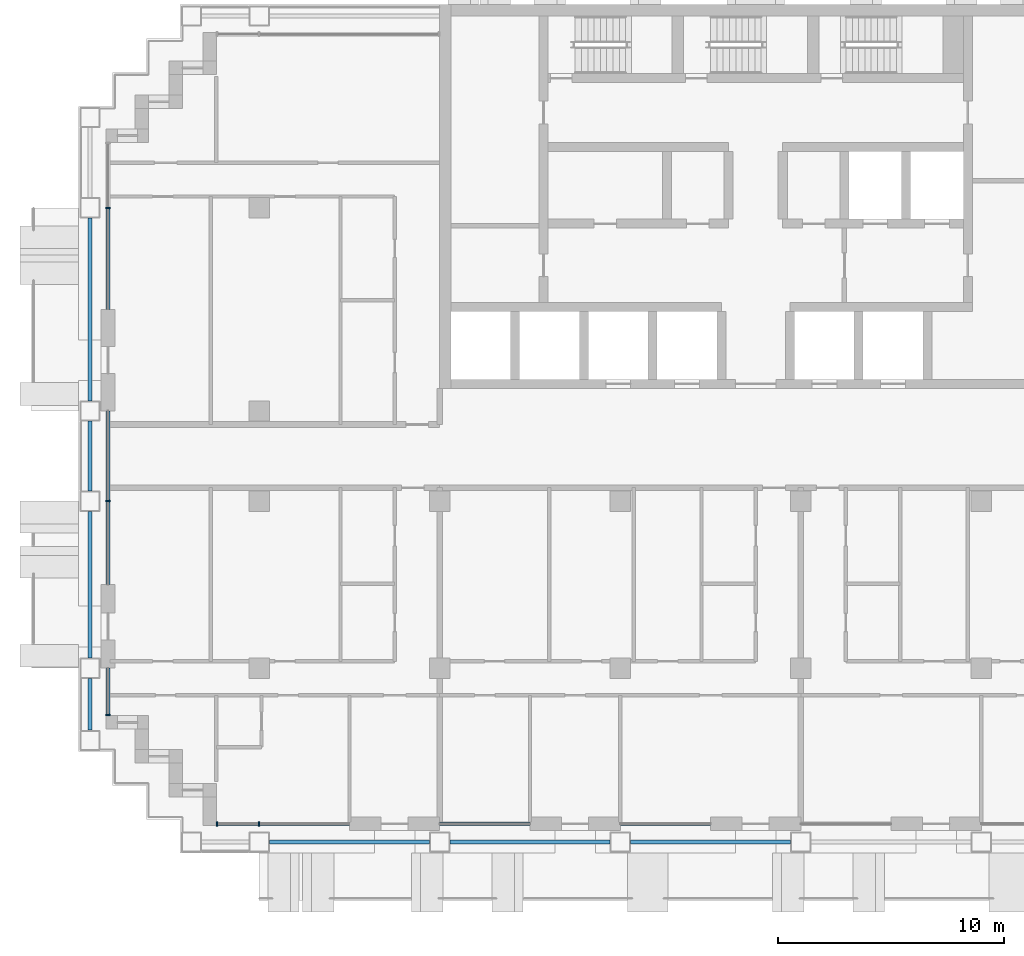
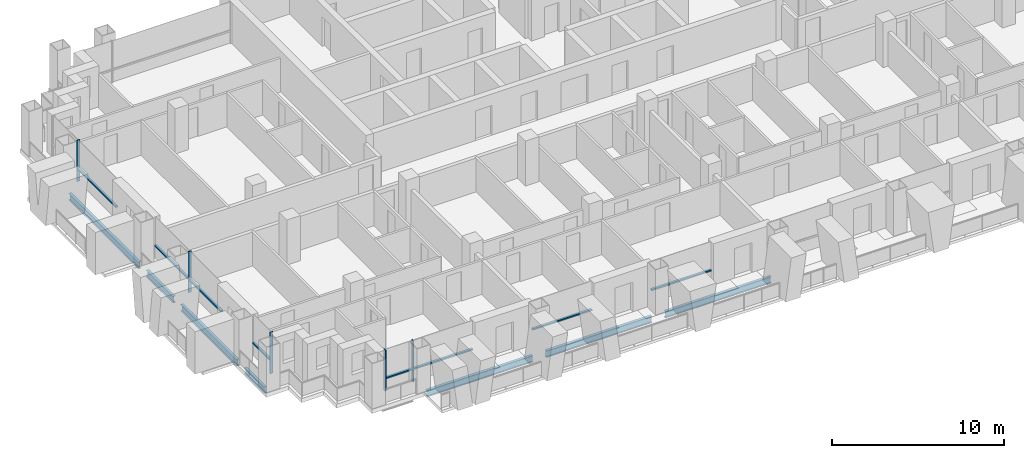
# One storey, part 2 of 18: 13 members, 7 beams, 6 elements without a shape of their own.
"""IFC4 building model written with IfcOpenShell, lengths in metres."""

import ifcopenshell
import ifcopenshell.guid

model = None  # the IFC model being written
_history = None  # IfcOwnerHistory: only IFC2X3 demands one
_inside = {}  # id of a spatial element -> (the spatial element, [elements in it])
_under = {}  # id of a project, library or spatial element -> (it, [spatial elements below it])
_declared = {}  # id of a project -> (the project, [libraries it declares])
_typed = {}  # id of a type object -> (the type object, [elements of that type])
_made_of = {}  # id of a material, layer set ... -> (it, [elements and type objects made of it])


def new_model(schema):
    """Start an empty IFC model of exactly this schema.

    Asked for "IFC4X3", IfcOpenShell would pick the latest addendum, in which some entities
    have other attributes; the version numbers below select the first issue.
    IFC2X3 requires an IfcOwnerHistory on every rooted entity: one is made here for all.
    """
    global model, _history
    if schema == "IFC4X3":
        model = ifcopenshell.file(schema_version=(4, 3, 0, 0))
    else:
        model = ifcopenshell.file(schema=schema)
    _inside.clear()
    _under.clear()
    _declared.clear()
    _typed.clear()
    _made_of.clear()
    _history = None
    if model.schema == "IFC2X3":
        org = make("IfcOrganization", Name="unknown")
        user = make(
            "IfcPersonAndOrganization",
            ThePerson=make("IfcPerson", FamilyName="unknown"),
            TheOrganization=org,
        )
        app = make(
            "IfcApplication",
            ApplicationDeveloper=org,
            Version="unknown",
            ApplicationFullName="unknown",
            ApplicationIdentifier="unknown",
        )
        _history = make(
            "IfcOwnerHistory",
            OwningUser=user,
            OwningApplication=app,
            ChangeAction="ADDED",
            CreationDate=0,
        )
    return model


def make(cls, **values):
    """One entity of the class cls with the attributes given. An attribute that is None is left unset."""
    return model.create_entity(
        cls, **{name: value for name, value in values.items() if value is not None}
    )


def rooted(cls, **values):
    """An entity with a GlobalId (a new one), such as an element, a storey or a relation."""
    return make(cls, GlobalId=ifcopenshell.guid.new(), OwnerHistory=_history, **values)


def si_unit(unit_type, name, prefix=None):
    """IfcSIUnit, for example si_unit("LENGTHUNIT", "METRE", prefix="MILLI")."""
    return make("IfcSIUnit", UnitType=unit_type, Prefix=prefix, Name=name)


def assignment(units):
    """IfcUnitAssignment: the units of a project."""
    return None if units is None else make("IfcUnitAssignment", Units=units)


def point(xyz):
    """IfcCartesianPoint."""
    return None if xyz is None else make("IfcCartesianPoint", Coordinates=xyz)


def direction(xyz):
    """IfcDirection."""
    return None if xyz is None else make("IfcDirection", DirectionRatios=xyz)


def frame(location, z_axis=None, x_axis=None):
    """IfcAxis2Placement3D, a coordinate frame: its origin and axes. An axis left out is left unset."""
    return make(
        "IfcAxis2Placement3D",
        Location=point(location),
        Axis=direction(z_axis),
        RefDirection=direction(x_axis),
    )


def frame_2d(location, x_axis=None):
    """IfcAxis2Placement2D, a coordinate frame in the plane: its origin and x axis."""
    return make(
        "IfcAxis2Placement2D", Location=point(location), RefDirection=direction(x_axis)
    )


def origin():
    """The frame at (0, 0, 0) with its axes left unset."""
    return frame((0.0, 0.0, 0.0))


def origin_2d():
    """The frame at (0, 0) in the plane with its x axis left unset."""
    return frame_2d((0.0, 0.0))


def place(relative_to, where):
    """IfcLocalPlacement: puts the frame where relative to a parent placement (None: the world)."""
    return make(
        "IfcLocalPlacement", PlacementRelTo=relative_to, RelativePlacement=where
    )


def context(
    kind, dimensions, precision=None, world=None, true_north=None, identifier=None
):
    """IfcGeometricRepresentationContext, for example the 3D "Model" context."""
    return make(
        "IfcGeometricRepresentationContext",
        ContextIdentifier=identifier,
        ContextType=kind,
        CoordinateSpaceDimension=dimensions,
        Precision=precision,
        WorldCoordinateSystem=world,
        TrueNorth=true_north,
    )


def subcontext(parent, identifier, kind, view, scale=None):
    """IfcGeometricRepresentationSubContext, for example "Body" below "Model"."""
    return make(
        "IfcGeometricRepresentationSubContext",
        ContextIdentifier=identifier,
        ContextType=kind,
        ParentContext=parent,
        TargetScale=scale,
        TargetView=view,
    )


def project(units=None, contexts=None):
    """IfcProject with its units and contexts."""
    return rooted(
        "IfcProject",
        Name="project",
        RepresentationContexts=contexts,
        UnitsInContext=assignment(units),
    )


def spatial(cls, under=None, at=None, **own):
    """A site, building, storey or space (cls), placed at a placement, below another one or the project."""
    s = rooted(cls, ObjectPlacement=at, **own)
    if under is not None:
        _under.setdefault(under.id(), (under, []))[1].append(s)
    return s


def profile(cls, at=None, kind="AREA", **sizes):
    """A parametric profile (cls). Its sizes go by their IFC names, for example OverallWidth=200.0."""
    return make(cls, ProfileType=kind, Position=at, **sizes)


def rectangle(**sizes):
    """IfcRectangleProfileDef."""
    return profile("IfcRectangleProfileDef", **sizes)


def i_section(**sizes):
    """IfcIShapeProfileDef."""
    return profile("IfcIShapeProfileDef", **sizes)


def extrude(swept, where, along, depth):
    """IfcExtrudedAreaSolid: the profile swept, set in the frame where, extruded along a direction by depth."""
    return make(
        "IfcExtrudedAreaSolid",
        SweptArea=swept,
        Position=where,
        ExtrudedDirection=direction(along),
        Depth=depth,
    )


def shape(context_of_items, identifier, shape_type, items):
    """IfcShapeRepresentation: the items that make up one representation, for example the "Body"."""
    return make(
        "IfcShapeRepresentation",
        ContextOfItems=context_of_items,
        RepresentationIdentifier=identifier,
        RepresentationType=shape_type,
        Items=items,
    )


def material(Name=None, Category=None):
    """IfcMaterial."""
    return make("IfcMaterial", Name=Name, Category=Category)


def material_profile(
    of_material, cross_section, Name=None, Category=None, Priority=None
):
    """IfcMaterialProfile: a cross section and its material."""
    return make(
        "IfcMaterialProfile",
        Name=Name,
        Material=of_material,
        Profile=cross_section,
        Priority=Priority,
        Category=Category,
    )


def profile_set(profiles, Name=None, composite=None):
    """IfcMaterialProfileSet."""
    return make(
        "IfcMaterialProfileSet",
        Name=Name,
        MaterialProfiles=profiles,
        CompositeProfile=composite,
    )


def made_of(thing, what):
    """Note that an element or type object is made of a material, layer set ...; save() writes the relation."""
    if what is not None:
        _made_of.setdefault(what.id(), (what, []))[1].append(thing)
    return thing


def type_object(cls, material=None, **own):
    """A type object (cls), such as IfcWallType, which elements share."""
    return made_of(rooted(cls, **own), material)


def element(
    cls,
    number,
    at=None,
    inside=None,
    cuts=None,
    type_object=None,
    material=None,
    context=None,
    identifier="Body",
    shape_type=None,
    held_by="IfcProductDefinitionShape",
    body=None,
    shapes=None,
    **own,
):
    """One element of the class cls, such as IfcWall. Its Tag is "e" and its number.

    at: its placement. inside: the storey or other place that contains it. cuts: it is an
    opening in that element (IfcRelVoidsElement). A single representation is given by context,
    identifier, shape_type and body (its items); several are given by shapes. held_by: the class
    of the entity that holds the representations. save() writes the other relations.
    """
    e = rooted(cls, Tag="e%d" % number, ObjectPlacement=at, **own)
    if body is not None:
        shapes = [shape(context, identifier, shape_type, body)]
    if shapes is not None:
        e.Representation = make(held_by, Representations=shapes)
    if inside is not None:
        _inside.setdefault(inside.id(), (inside, []))[1].append(e)
    if cuts is not None:
        rooted(
            "IfcRelVoidsElement", RelatingBuildingElement=cuts, RelatedOpeningElement=e
        )
    if type_object is not None:
        _typed.setdefault(type_object.id(), (type_object, []))[1].append(e)
    return made_of(e, material)


def aggregate(whole, parts):
    """IfcRelAggregates: a whole, such as a stair, and the parts it consists of."""
    return rooted("IfcRelAggregates", RelatingObject=whole, RelatedObjects=parts)


def save(model, path):
    """Write the relations noted so far, then the file.

    IfcRelAggregates (storeys below a building ...), IfcRelContainedInSpatialStructure (elements
    in a storey), IfcRelDefinesByType, IfcRelAssociatesMaterial and IfcRelDeclares: one each for
    every whole, place, type object, material and project.
    """
    for whole, parts in _under.values():
        aggregate(whole, parts)
    for where, things in _inside.values():
        rooted(
            "IfcRelContainedInSpatialStructure",
            RelatedElements=things,
            RelatingStructure=where,
        )
    for kind, things in _typed.values():
        rooted("IfcRelDefinesByType", RelatedObjects=things, RelatingType=kind)
    for what, things in _made_of.values():
        rooted("IfcRelAssociatesMaterial", RelatedObjects=things, RelatingMaterial=what)
    for by, libraries in _declared.values():
        rooted("IfcRelDeclares", RelatingContext=by, RelatedDefinitions=libraries)
    model.write(path)


model = new_model("IFC4")

# Units and contexts
model_context = context("Model", 3, precision=1e-05, world=origin(), true_north=direction((0.0, 1.0)))
body_context = subcontext(model_context, "Body", "Model", "MODEL_VIEW")
ifc_project = project(units=[si_unit("LENGTHUNIT", "METRE"), si_unit("AREAUNIT", "SQUARE_METRE"), si_unit("VOLUMEUNIT", "CUBIC_METRE"), si_unit("PLANEANGLEUNIT", "RADIAN"), si_unit("MASSUNIT", "GRAM", prefix="KILO")], contexts=[model_context])

# Site, building, storey
site_placement = place(None, origin())
site = spatial("IfcSite", under=ifc_project, at=site_placement, CompositionType="ELEMENT")
building_placement = place(site_placement, origin())
building = spatial("IfcBuilding", under=site, at=building_placement, Name="Vidyagriha Tower", CompositionType="ELEMENT")
storey_placement = place(building_placement, frame((0.0, 0.0, 93.5)))
storey = spatial("IfcBuildingStorey", under=building, at=storey_placement, Name="L24", CompositionType="ELEMENT", Elevation=93.5)

# Beams
ifc_material_1 = material(Name="Steel ASTM A992 Grade 50", Category="steel")
ifc_material_profile_1 = material_profile(ifc_material_1, i_section(OverallWidth=0.19189453125, OverallDepth=0.46240234375, WebThickness=0.010498046875, FlangeThickness=0.017578125, at=origin_2d()), Name="W18X60")
ifc_profile_set_1 = profile_set([ifc_material_profile_1], Name="Steel ASTM A992 Grade 50")
beam_type = type_object("IfcBeamType", Name="Edge beam W18X60", PredefinedType="SPANDREL", material=ifc_profile_set_1)
for number, where, z_axis, x_axis, name in (
    (1, (-21.550048828125, -17.10009765625, -0.51123046875), (1.0, 0.0, 0.0), (0.0, 1.0, 0.0), "st-beam-L24-S02"),
    (2, (-13.550048828125, -17.10009765625, -0.51123046875), (1.0, 0.0, 0.0), (0.0, 1.0, 0.0), "st-beam-L24-S03"),
    (3, (-5.550048828125, -17.10009765625, -0.51123046875), (1.0, 0.0, 0.0), (0.0, 1.0, 0.0), "st-beam-L24-S04"),
):
    element("IfcBeam", number, at=place(storey_placement, frame(where, z_axis=z_axis, x_axis=x_axis)), inside=storey, type_object=beam_type, Name=name, PredefinedType="SPANDREL", context=body_context, shape_type="SweptSolid", body=[
        extrude(i_section(OverallWidth=0.19189453125, OverallDepth=0.46240234375, WebThickness=0.010498046875, FlangeThickness=0.017578125, at=origin_2d()), origin(), (0.0, 0.0, 1.0), 7.10009765625),
    ])
beam_1_placement = place(storey_placement, frame((-29.5, -12.14990234375, -0.51123046875), z_axis=(0.0, 1.0, 0.0), x_axis=(-1.0, 0.0, 0.0)))
element("IfcBeam", 4, at=beam_1_placement, inside=storey, type_object=beam_type, Name="st-beam-L24-W10", PredefinedType="SPANDREL", context=body_context, shape_type="SweptSolid", body=[
    extrude(i_section(OverallWidth=0.19189453125, OverallDepth=0.46240234375, WebThickness=0.010498046875, FlangeThickness=0.017578125, at=origin_2d()), origin(), (0.0, 0.0, 1.0), 2.2998046875),
])
beam_2_placement = place(storey_placement, frame((-29.5, -8.949951171875, -0.51123046875), z_axis=(0.0, 1.0, 0.0), x_axis=(-1.0, 0.0, 0.0)))
element("IfcBeam", 5, at=beam_2_placement, inside=storey, type_object=beam_type, Name="st-beam-L24-W11", PredefinedType="SPANDREL", context=body_context, shape_type="SweptSolid", body=[
    extrude(i_section(OverallWidth=0.19189453125, OverallDepth=0.46240234375, WebThickness=0.010498046875, FlangeThickness=0.017578125, at=origin_2d()), origin(), (0.0, 0.0, 1.0), 6.5),
])
beam_3_placement = place(storey_placement, frame((-29.5, -1.550048828125, -0.51123046875), z_axis=(0.0, 1.0, 0.0), x_axis=(-1.0, 0.0, 0.0)))
element("IfcBeam", 6, at=beam_3_placement, inside=storey, type_object=beam_type, Name="st-beam-L24-W12", PredefinedType="SPANDREL", context=body_context, shape_type="SweptSolid", body=[
    extrude(i_section(OverallWidth=0.19189453125, OverallDepth=0.46240234375, WebThickness=0.010498046875, FlangeThickness=0.017578125, at=origin_2d()), origin(), (0.0, 0.0, 1.0), 3.10009765625),
])
beam_4_placement = place(storey_placement, frame((-29.5, 2.449951171875, -0.51123046875), z_axis=(0.0, 1.0, 0.0), x_axis=(-1.0, 0.0, 0.0)))
element("IfcBeam", 7, at=beam_4_placement, inside=storey, type_object=beam_type, Name="st-beam-L24-W13", PredefinedType="SPANDREL", context=body_context, shape_type="SweptSolid", body=[
    extrude(i_section(OverallWidth=0.19189453125, OverallDepth=0.46240234375, WebThickness=0.010498046875, FlangeThickness=0.017578125, at=origin_2d()), origin(), (0.0, 0.0, 1.0), 8.10009765625),
])

# Curtain wall, member
ifc_material_2 = material(Name="Aluminium and glass curtain wall", Category="aluminium")
curtain_wall_type = type_object("IfcCurtainWallType", Name="Dwelling skin unitised curtain wall", PredefinedType="USERDEFINED", material=ifc_material_2)
curtain_wall_1_placement = place(storey_placement, origin())
curtain_wall_1 = element("IfcCurtainWall", 8, at=curtain_wall_1_placement, inside=storey, type_object=curtain_wall_type, Name="CW1 dwelling skin", ObjectType="UNITISED", PredefinedType="USERDEFINED")
ifc_material_3 = material(Name="Aluminium black anodised", Category="aluminium")
ifc_material_profile_2 = material_profile(ifc_material_3, rectangle(XDim=0.199951171875, YDim=0.070068359375, at=origin_2d()), Name="Mullion 70x200 black aluminium")
ifc_profile_set_2 = profile_set([ifc_material_profile_2], Name="Aluminium black anodised")
member_type_1 = type_object("IfcMemberType", Name="Mullion 70x200 black aluminium", PredefinedType="MULLION", material=ifc_profile_set_2)
member_1_placement = place(storey_placement, frame((-28.699951171875, 11.0, 0.0)))
member_1 = element("IfcMember", 9, at=member_1_placement, type_object=member_type_1, Name="CW1 mullion 2", PredefinedType="MULLION", context=body_context, shape_type="SweptSolid", body=[
    extrude(rectangle(XDim=0.199951171875, YDim=0.070068359375, at=origin_2d()), origin(), (0.0, 0.0, 1.0), 2.919921875),
])

curtain_wall_2_placement = place(storey_placement, origin())
curtain_wall_2 = element("IfcCurtainWall", 10, at=curtain_wall_2_placement, inside=storey, type_object=curtain_wall_type, Name="CW1 dwelling skin", ObjectType="UNITISED", PredefinedType="USERDEFINED")
member_2_placement = place(storey_placement, frame((-28.699951171875, -2.0, 0.0)))
member_2 = element("IfcMember", 11, at=member_2_placement, type_object=member_type_1, Name="CW1 mullion 2", PredefinedType="MULLION", context=body_context, shape_type="SweptSolid", body=[
    extrude(rectangle(XDim=0.199951171875, YDim=0.070068359375, at=origin_2d()), origin(), (0.0, 0.0, 1.0), 2.919921875),
])

curtain_wall_3_placement = place(storey_placement, origin())
curtain_wall_3 = element("IfcCurtainWall", 12, at=curtain_wall_3_placement, inside=storey, type_object=curtain_wall_type, Name="CW1 dwelling skin", ObjectType="UNITISED", PredefinedType="USERDEFINED")
member_3_placement = place(storey_placement, frame((-28.699951171875, -11.465087890625, 0.0)))
member_3 = element("IfcMember", 13, at=member_3_placement, type_object=member_type_1, Name="CW1 mullion 2", PredefinedType="MULLION", context=body_context, shape_type="SweptSolid", body=[
    extrude(rectangle(XDim=0.199951171875, YDim=0.070068359375, at=origin_2d()), origin(), (0.0, 0.0, 1.0), 2.919921875),
])

# Curtain wall, members
curtain_wall_4_placement = place(storey_placement, origin())
curtain_wall_4 = element("IfcCurtainWall", 14, at=curtain_wall_4_placement, inside=storey, type_object=curtain_wall_type, Name="CW1 dwelling skin", ObjectType="UNITISED", PredefinedType="USERDEFINED")
member_4_placement = place(storey_placement, frame((-23.864990234375, -16.300048828125, 0.0), z_axis=(0.0, 0.0, 1.0), x_axis=(0.0, 1.0, 0.0)))
member_4 = element("IfcMember", 15, at=member_4_placement, type_object=member_type_1, Name="CW1 mullion 1", PredefinedType="MULLION", context=body_context, shape_type="SweptSolid", body=[
    extrude(rectangle(XDim=0.199951171875, YDim=0.070068359375, at=origin_2d()), origin(), (0.0, 0.0, 1.0), 2.919921875),
])
member_5_placement = place(storey_placement, frame((-22.0, -16.300048828125, 0.0), z_axis=(0.0, 0.0, 1.0), x_axis=(0.0, 1.0, 0.0)))
member_5 = element("IfcMember", 16, at=member_5_placement, type_object=member_type_1, Name="CW1 mullion 2", PredefinedType="MULLION", context=body_context, shape_type="SweptSolid", body=[
    extrude(rectangle(XDim=0.199951171875, YDim=0.070068359375, at=origin_2d()), origin(), (0.0, 0.0, 1.0), 2.919921875),
])

# Member
ifc_material_4 = material(Name="Aluminium black anodised", Category="aluminium")
ifc_material_profile_3 = material_profile(ifc_material_4, rectangle(XDim=0.159912109375, YDim=0.10009765625, at=origin_2d()), Name="Transom 100x160 black aluminium")
ifc_profile_set_3 = profile_set([ifc_material_profile_3], Name="Aluminium black anodised")
member_type_2 = type_object("IfcMemberType", Name="Transom 100x160 black aluminium", PredefinedType="USERDEFINED", material=ifc_profile_set_3)
member_6_placement = place(storey_placement, frame((-28.699951171875, 10.965087890625, 0.89990234375), z_axis=(0.0, -1.0, 0.0), x_axis=(1.0, 0.0, 0.0)))
member_6 = element("IfcMember", 17, at=member_6_placement, type_object=member_type_2, Name="CW1 transom 2.1", ObjectType="TRANSOM", PredefinedType="USERDEFINED", context=body_context, shape_type="SweptSolid", body=[
    extrude(rectangle(XDim=0.159912109375, YDim=0.10009765625, at=origin_2d()), origin(), (0.0, 0.0, 1.0), 4.465087890625),
])

aggregate(curtain_wall_1, [member_1, member_6])

member_7_placement = place(storey_placement, frame((-28.699951171875, 2.0, 0.89990234375), z_axis=(0.0, -1.0, 0.0), x_axis=(1.0, 0.0, 0.0)))
member_7 = element("IfcMember", 18, at=member_7_placement, type_object=member_type_2, Name="CW1 transom 1.1", ObjectType="TRANSOM", PredefinedType="USERDEFINED", context=body_context, shape_type="SweptSolid", body=[
    extrude(rectangle(XDim=0.159912109375, YDim=0.10009765625, at=origin_2d()), origin(), (0.0, 0.0, 1.0), 3.965087890625),
])

member_8_placement = place(storey_placement, frame((-28.699951171875, -2.034912109375, 0.89990234375), z_axis=(0.0, -1.0, 0.0), x_axis=(1.0, 0.0, 0.0)))
member_8 = element("IfcMember", 19, at=member_8_placement, type_object=member_type_2, Name="CW1 transom 2.1", ObjectType="TRANSOM", PredefinedType="USERDEFINED", context=body_context, shape_type="SweptSolid", body=[
    extrude(rectangle(XDim=0.159912109375, YDim=0.10009765625, at=origin_2d()), origin(), (0.0, 0.0, 1.0), 3.6650390625),
])

aggregate(curtain_wall_2, [member_2, member_7, member_8])

member_9_placement = place(storey_placement, frame((-28.699951171875, -9.39990234375, 0.89990234375), z_axis=(0.0, -1.0, 0.0), x_axis=(1.0, 0.0, 0.0)))
member_9 = element("IfcMember", 20, at=member_9_placement, type_object=member_type_2, Name="CW1 transom 1.1", ObjectType="TRANSOM", PredefinedType="USERDEFINED", context=body_context, shape_type="SweptSolid", body=[
    extrude(rectangle(XDim=0.159912109375, YDim=0.10009765625, at=origin_2d()), origin(), (0.0, 0.0, 1.0), 2.030029296875),
])

aggregate(curtain_wall_3, [member_3, member_9])

member_10_placement = place(storey_placement, frame((-23.830078125, -16.300048828125, 0.89990234375), z_axis=(1.0, 0.0, 0.0), x_axis=(0.0, 1.0, 0.0)))
member_10 = element("IfcMember", 21, at=member_10_placement, type_object=member_type_2, Name="CW1 transom 1.1", ObjectType="TRANSOM", PredefinedType="USERDEFINED", context=body_context, shape_type="SweptSolid", body=[
    extrude(rectangle(XDim=0.159912109375, YDim=0.10009765625, at=origin_2d()), origin(), (0.0, 0.0, 1.0), 1.795166015625),
])

member_11_placement = place(storey_placement, frame((-21.965087890625, -16.300048828125, 0.89990234375), z_axis=(1.0, 0.0, 0.0), x_axis=(0.0, 1.0, 0.0)))
member_11 = element("IfcMember", 22, at=member_11_placement, type_object=member_type_2, Name="CW1 transom 2.1", ObjectType="TRANSOM", PredefinedType="USERDEFINED", context=body_context, shape_type="SweptSolid", body=[
    extrude(rectangle(XDim=0.159912109375, YDim=0.10009765625, at=origin_2d()), origin(), (0.0, 0.0, 1.0), 3.965087890625),
])

aggregate(curtain_wall_4, [member_4, member_5, member_10, member_11])

# Curtain wall, member
curtain_wall_5_placement = place(storey_placement, origin())
curtain_wall_5 = element("IfcCurtainWall", 23, at=curtain_wall_5_placement, inside=storey, type_object=curtain_wall_type, Name="CW1 dwelling skin", ObjectType="UNITISED", PredefinedType="USERDEFINED")
member_12_placement = place(storey_placement, frame((-14.0, -16.300048828125, 0.89990234375), z_axis=(1.0, 0.0, 0.0), x_axis=(0.0, 1.0, 0.0)))
member_12 = element("IfcMember", 24, at=member_12_placement, type_object=member_type_2, Name="CW1 transom 1.1", ObjectType="TRANSOM", PredefinedType="USERDEFINED", context=body_context, shape_type="SweptSolid", body=[
    extrude(rectangle(XDim=0.159912109375, YDim=0.10009765625, at=origin_2d()), origin(), (0.0, 0.0, 1.0), 4.0),
])
aggregate(curtain_wall_5, [member_12])

curtain_wall_6_placement = place(storey_placement, origin())
curtain_wall_6 = element("IfcCurtainWall", 25, at=curtain_wall_6_placement, inside=storey, type_object=curtain_wall_type, Name="CW1 dwelling skin", ObjectType="UNITISED", PredefinedType="USERDEFINED")
member_13_placement = place(storey_placement, frame((-6.0, -16.300048828125, 0.89990234375), z_axis=(1.0, 0.0, 0.0), x_axis=(0.0, 1.0, 0.0)))
member_13 = element("IfcMember", 26, at=member_13_placement, type_object=member_type_2, Name="CW1 transom 1.1", ObjectType="TRANSOM", PredefinedType="USERDEFINED", context=body_context, shape_type="SweptSolid", body=[
    extrude(rectangle(XDim=0.159912109375, YDim=0.10009765625, at=origin_2d()), origin(), (0.0, 0.0, 1.0), 4.0),
])
aggregate(curtain_wall_6, [member_13])

save(model, "model.ifc")
